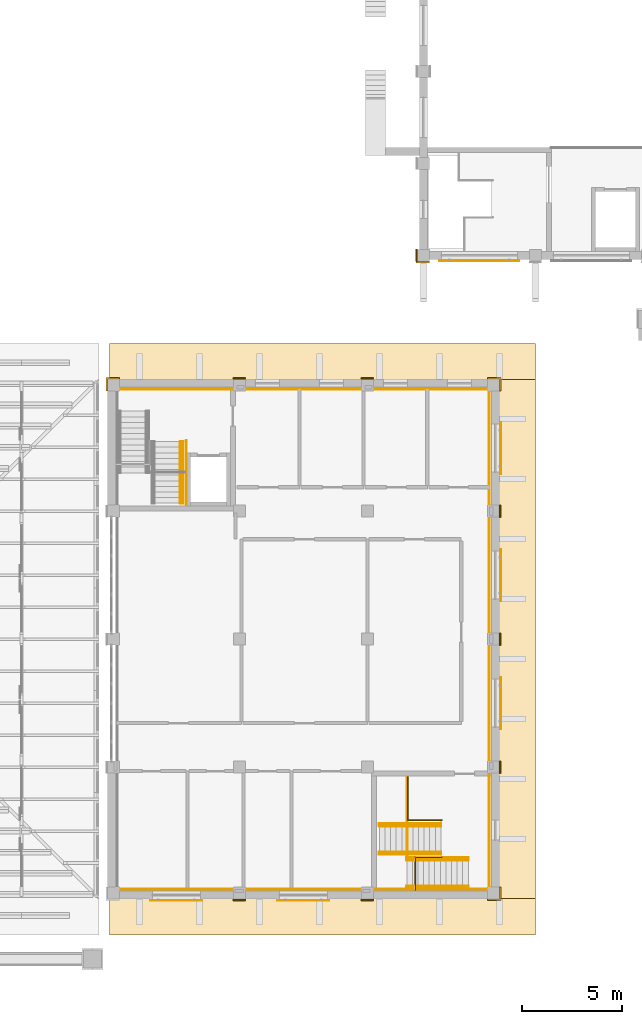
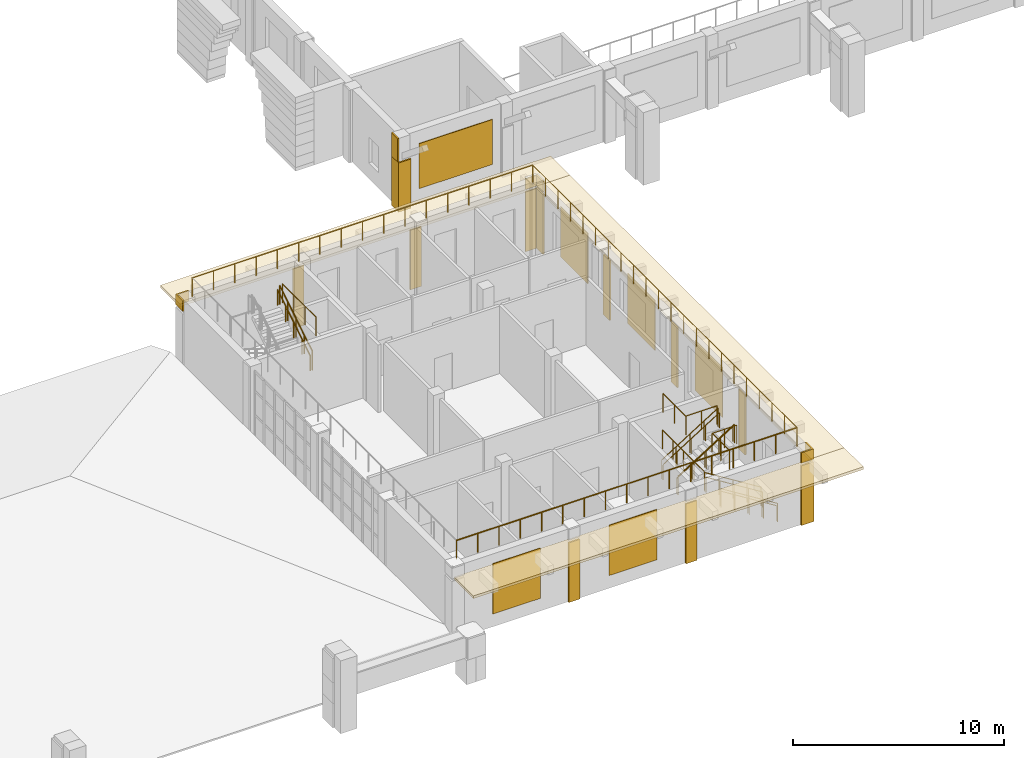
# One storey, part 56 of 68: 17 coverings, 17 railings, 6 shading devices.
"""IFC4 building model written with IfcOpenShell, lengths in metres."""

from ifc_helpers import new_model, si_unit, direction, frame, origin, origin_2d, place, context, subcontext, project, spatial, polyline, rectangle, circle, outline, extrude, material, layer, layer_set, type_object, element, save


model = new_model("IFC4")

# Units and contexts
model_context = context("Model", 3, precision=1e-05, world=origin(), true_north=direction((0.0, 1.0)))
body_context = subcontext(model_context, "Body", "Model", "MODEL_VIEW")
ifc_project = project(units=[si_unit("LENGTHUNIT", "METRE"), si_unit("AREAUNIT", "SQUARE_METRE"), si_unit("VOLUMEUNIT", "CUBIC_METRE"), si_unit("PLANEANGLEUNIT", "RADIAN"), si_unit("MASSUNIT", "GRAM", prefix="KILO")], contexts=[model_context])

# Site, building, storey
site_placement = place(None, origin())
site = spatial("IfcSite", under=ifc_project, at=site_placement, CompositionType="ELEMENT")
building_placement = place(site_placement, origin())
building = spatial("IfcBuilding", under=site, at=building_placement, Name="Wasatch Bagh Community Centre", CompositionType="ELEMENT")
storey_placement = place(building_placement, frame((0.0, 0.0, 8.39990234375)))
storey = spatial("IfcBuildingStorey", under=building, at=storey_placement, Name="L02", CompositionType="ELEMENT", Elevation=8.39990234375)

# Coverings
ifc_material_1 = material(Name="Cast stone cladding", Category="masonry")
ifc_layer_1 = layer(ifc_material_1, 0.080078125)
ifc_layer_set_1 = layer_set([ifc_layer_1], Name="Cast stone cladding")
covering_type_1 = type_object("IfcCoveringType", Name="CL-C1 column facing", PredefinedType="CLADDING", material=ifc_layer_set_1)
covering_1_placement = place(storey_placement, frame((0.0, 0.0, 3.60009765625)))
element("IfcCovering", 1, at=covering_1_placement, inside=storey, type_object=covering_type_1, Name="Column facing", PredefinedType="CLADDING", context=body_context, shape_type="SweptSolid", body=[
    extrude(outline(polyline([(96.39990234375, 31.39990234375), (96.320068359375, 31.39990234375), (96.320068359375, 32.080078125), (97.0, 32.080078125), (97.0, 32.0), (96.39990234375, 32.0), (96.39990234375, 31.39990234375)])), origin(), (0.0, 0.0, 1.0), 0.60009765625),
])
covering_2_placement = place(storey_placement, origin())
element("IfcCovering", 2, at=covering_2_placement, inside=storey, type_object=covering_type_1, Name="Column facing", PredefinedType="CLADDING", context=body_context, shape_type="SweptSolid", body=[
    extrude(outline(polyline([(102.699951171875, 6.0), (103.300048828125, 6.0), (103.300048828125, 5.919921875), (102.699951171875, 5.919921875), (102.699951171875, 6.0)])), origin(), (0.0, 0.0, 1.0), 3.4501953125),
])
covering_3_placement = place(storey_placement, origin())
element("IfcCovering", 3, at=covering_3_placement, inside=storey, type_object=covering_type_1, Name="Column facing", PredefinedType="CLADDING", context=body_context, shape_type="SweptSolid", body=[
    extrude(outline(polyline([(103.300048828125, 32.0), (102.699951171875, 32.0), (102.699951171875, 32.080078125), (103.300048828125, 32.080078125), (103.300048828125, 32.0)])), origin(), (0.0, 0.0, 1.0), 3.4501953125),
])
covering_4_placement = place(storey_placement, origin())
element("IfcCovering", 4, at=covering_4_placement, inside=storey, type_object=covering_type_1, Name="Column facing", PredefinedType="CLADDING", context=body_context, shape_type="SweptSolid", body=[
    extrude(outline(polyline([(109.10009765625, 6.0), (109.699951171875, 6.0), (109.699951171875, 5.919921875), (109.10009765625, 5.919921875), (109.10009765625, 6.0)])), origin(), (0.0, 0.0, 1.0), 3.4501953125),
])
covering_5_placement = place(storey_placement, origin())
element("IfcCovering", 5, at=covering_5_placement, inside=storey, type_object=covering_type_1, Name="Column facing", PredefinedType="CLADDING", context=body_context, shape_type="SweptSolid", body=[
    extrude(outline(polyline([(109.699951171875, 32.0), (109.10009765625, 32.0), (109.10009765625, 32.080078125), (109.699951171875, 32.080078125), (109.699951171875, 32.0)])), origin(), (0.0, 0.0, 1.0), 3.4501953125),
])
covering_6_placement = place(storey_placement, origin())
element("IfcCovering", 6, at=covering_6_placement, inside=storey, type_object=covering_type_1, Name="Column facing", PredefinedType="CLADDING", context=body_context, shape_type="SweptSolid", body=[
    extrude(outline(polyline([(116.0, 6.0), (116.0, 6.60009765625), (116.080078125, 6.60009765625), (116.080078125, 5.919921875), (115.39990234375, 5.919921875), (115.39990234375, 6.0), (116.0, 6.0)])), origin(), (0.0, 0.0, 1.0), 3.4501953125),
])
covering_7_placement = place(storey_placement, frame((0.0, 0.0, 3.60009765625)))
element("IfcCovering", 7, at=covering_7_placement, inside=storey, type_object=covering_type_1, Name="Column facing", PredefinedType="CLADDING", context=body_context, shape_type="SweptSolid", body=[
    extrude(outline(polyline([(116.0, 6.0), (116.0, 6.60009765625), (116.080078125, 6.60009765625), (116.080078125, 5.919921875), (115.39990234375, 5.919921875), (115.39990234375, 6.0), (116.0, 6.0)])), origin(), (0.0, 0.0, 1.0), 0.60009765625),
])
covering_8_placement = place(storey_placement, origin())
element("IfcCovering", 8, at=covering_8_placement, inside=storey, type_object=covering_type_1, Name="Column facing", PredefinedType="CLADDING", context=body_context, shape_type="SweptSolid", body=[
    extrude(outline(polyline([(116.0, 12.300048828125), (116.0, 12.89990234375), (116.080078125, 12.89990234375), (116.080078125, 12.300048828125), (116.0, 12.300048828125)])), origin(), (0.0, 0.0, 1.0), 3.4501953125),
])
covering_9_placement = place(storey_placement, origin())
element("IfcCovering", 9, at=covering_9_placement, inside=storey, type_object=covering_type_1, Name="Column facing", PredefinedType="CLADDING", context=body_context, shape_type="SweptSolid", body=[
    extrude(outline(polyline([(116.0, 18.699951171875), (116.0, 19.300048828125), (116.080078125, 19.300048828125), (116.080078125, 18.699951171875), (116.0, 18.699951171875)])), origin(), (0.0, 0.0, 1.0), 3.4501953125),
])
covering_10_placement = place(storey_placement, origin())
element("IfcCovering", 10, at=covering_10_placement, inside=storey, type_object=covering_type_1, Name="Column facing", PredefinedType="CLADDING", context=body_context, shape_type="SweptSolid", body=[
    extrude(outline(polyline([(116.0, 25.10009765625), (116.0, 25.699951171875), (116.080078125, 25.699951171875), (116.080078125, 25.10009765625), (116.0, 25.10009765625)])), origin(), (0.0, 0.0, 1.0), 3.4501953125),
])
covering_11_placement = place(storey_placement, origin())
element("IfcCovering", 11, at=covering_11_placement, inside=storey, type_object=covering_type_1, Name="Column facing", PredefinedType="CLADDING", context=body_context, shape_type="SweptSolid", body=[
    extrude(outline(polyline([(116.0, 32.0), (115.39990234375, 32.0), (115.39990234375, 32.080078125), (116.080078125, 32.080078125), (116.080078125, 31.39990234375), (116.0, 31.39990234375), (116.0, 32.0)])), origin(), (0.0, 0.0, 1.0), 3.4501953125),
])
covering_12_placement = place(storey_placement, frame((0.0, 0.0, 3.60009765625)))
element("IfcCovering", 12, at=covering_12_placement, inside=storey, type_object=covering_type_1, Name="Column facing", PredefinedType="CLADDING", context=body_context, shape_type="SweptSolid", body=[
    extrude(outline(polyline([(116.0, 32.0), (115.39990234375, 32.0), (115.39990234375, 32.080078125), (116.080078125, 32.080078125), (116.080078125, 31.39990234375), (116.0, 31.39990234375), (116.0, 32.0)])), origin(), (0.0, 0.0, 1.0), 0.60009765625),
])
covering_13_placement = place(storey_placement, origin())
element("IfcCovering", 13, at=covering_13_placement, inside=storey, type_object=covering_type_1, Name="Column facing", PredefinedType="CLADDING", context=body_context, shape_type="SweptSolid", body=[
    extrude(outline(polyline([(111.820068359375, 37.820068359375), (111.820068359375, 38.5), (111.89990234375, 38.5), (111.89990234375, 37.89990234375), (112.5, 37.89990234375), (112.5, 37.820068359375), (111.820068359375, 37.820068359375)])), origin(), (0.0, 0.0, 1.0), 2.85009765625),
])
covering_14_placement = place(storey_placement, frame((0.0, 0.0, 2.85009765625)))
element("IfcCovering", 14, at=covering_14_placement, inside=storey, type_object=covering_type_1, Name="Column facing", PredefinedType="CLADDING", context=body_context, shape_type="SweptSolid", body=[
    extrude(outline(polyline([(111.89990234375, 38.5), (111.89990234375, 37.89990234375), (111.820068359375, 37.89990234375), (111.820068359375, 38.5), (111.89990234375, 38.5)])), origin(), (0.0, 0.0, 1.0), 1.35009765625),
])
ifc_material_2 = material(Name="Glass-fibre reinforced concrete", Category="concrete")
ifc_layer_2 = layer(ifc_material_2, 0.14990234375)
ifc_layer_set_2 = layer_set([ifc_layer_2], Name="Glass-fibre reinforced concrete")
covering_type_2 = type_object("IfcCoveringType", Name="KW chhajja band", PredefinedType="CLADDING", material=ifc_layer_set_2)
covering_15_placement = place(storey_placement, frame((107.14990234375, 5.110107421875, 3.4501953125), z_axis=(0.0, 0.0, 1.0), x_axis=(1.0, 0.0, 0.0)))
element("IfcCovering", 15, at=covering_15_placement, inside=storey, type_object=covering_type_2, Name="CH-C1 chhajja band KW S", PredefinedType="CLADDING", context=body_context, shape_type="SweptSolid", body=[
    extrude(rectangle(XDim=21.300048828125, YDim=1.820068359375, at=origin_2d()), origin(), (0.0, 0.0, 1.0), 0.14990234375),
])
covering_16_placement = place(storey_placement, frame((116.889892578125, 19.0, 3.4501953125), z_axis=(0.0, 0.0, 1.0), x_axis=(1.0, 0.0, 0.0)))
element("IfcCovering", 16, at=covering_16_placement, inside=storey, type_object=covering_type_2, Name="CH-C1 chhajja band KW E", PredefinedType="CLADDING", context=body_context, shape_type="SweptSolid", body=[
    extrude(rectangle(XDim=1.820068359375, YDim=25.9599609375, at=origin_2d()), origin(), (0.0, 0.0, 1.0), 0.14990234375),
])
covering_17_placement = place(storey_placement, frame((107.14990234375, 32.889892578125, 3.4501953125), z_axis=(0.0, 0.0, 1.0), x_axis=(1.0, 0.0, 0.0)))
element("IfcCovering", 17, at=covering_17_placement, inside=storey, type_object=covering_type_2, Name="CH-C1 chhajja band KW N", PredefinedType="CLADDING", context=body_context, shape_type="SweptSolid", body=[
    extrude(rectangle(XDim=21.300048828125, YDim=1.820068359375, at=origin_2d()), origin(), (0.0, 0.0, 1.0), 0.14990234375),
])

# Railings
ifc_material_3 = material(Name="ASTM A36 steel", Category="steel")
railing_type_1 = type_object("IfcRailingType", Name="KW guard", PredefinedType="GUARDRAIL", material=ifc_material_3)
railing_1_placement = place(storey_placement, frame((100.169921875, 25.800048828125, 2.275146484375)))
element("IfcRailing", 18, at=railing_1_placement, inside=storey, type_object=railing_type_1, Name="GUARD ST4", PredefinedType="GUARDRAIL", context=body_context, shape_type="SweptSolid", body=[
    extrude(circle(Radius=0.02392578125, at=origin_2d()), frame((0.0, 0.0, 1.076171875), z_axis=(0.0, 0.847979421464, 0.530029150871), x_axis=(-1.0, 0.0, 0.0)), (0.0, 0.0, 1.0), 3.632080078125),
    extrude(circle(Radius=0.02099609375, at=origin_2d()), origin(), (0.0, 0.0, 1.0), 1.052001953125),
    extrude(circle(Radius=0.02099609375, at=origin_2d()), frame((0.0, 0.77001953125, 0.481201171875)), (0.0, 0.0, 1.0), 1.052001953125),
    extrude(circle(Radius=0.02099609375, at=origin_2d()), frame((0.0, 1.5400390625, 0.96240234375)), (0.0, 0.0, 1.0), 1.052001953125),
    extrude(circle(Radius=0.02099609375, at=origin_2d()), frame((0.0, 2.309814453125, 1.44384765625)), (0.0, 0.0, 1.0), 1.052001953125),
    extrude(circle(Radius=0.02099609375, at=origin_2d()), frame((0.0, 3.079833984375, 1.925048828125)), (0.0, 0.0, 1.0), 1.052001953125),
])
railing_2_placement = place(storey_placement, frame((100.35009765625, 28.929931640625, 4.2001953125)))
element("IfcRailing", 19, at=railing_2_placement, inside=storey, type_object=railing_type_1, Name="GUARD ST4", PredefinedType="GUARDRAIL", context=body_context, shape_type="SweptSolid", body=[
    extrude(circle(Radius=0.02392578125, at=origin_2d()), frame((0.0, 0.0, 1.076171875), z_axis=(0.0, -1.0, 0.0), x_axis=(1.0, 0.0, 0.0)), (0.0, 0.0, 1.0), 3.179931640625),
    extrude(circle(Radius=0.02099609375, at=origin_2d()), origin(), (0.0, 0.0, 1.0), 1.052001953125),
    extrude(circle(Radius=0.02099609375, at=origin_2d()), frame((0.0, -1.06005859375, 0.0)), (0.0, 0.0, 1.0), 1.052001953125),
    extrude(circle(Radius=0.02099609375, at=origin_2d()), frame((0.0, -2.119873046875, 0.0)), (0.0, 0.0, 1.0), 1.052001953125),
    extrude(circle(Radius=0.02099609375, at=origin_2d()), frame((0.0, -3.179931640625, 0.0)), (0.0, 0.0, 1.0), 1.052001953125),
])
for number, where, name in (
    (20, (114.449951171875, 6.530029296875, 0.175048828125), "GUARD ST5"),
    (21, (114.449951171875, 8.070068359375, 0.175048828125), "GUARD ST5"),
):
    element("IfcRailing", number, at=place(storey_placement, frame(where)), inside=storey, type_object=railing_type_1, Name=name, PredefinedType="GUARDRAIL", context=body_context, shape_type="SweptSolid", body=[
        extrude(circle(Radius=0.02392578125, at=origin_2d()), frame((0.0, 0.0, 1.076171875), z_axis=(-0.847979421464, 0.0, 0.530029150871), x_axis=(0.0, -1.0, 0.0)), (0.0, 0.0, 1.0), 3.632080078125),
        extrude(circle(Radius=0.02099609375, at=origin_2d()), origin(), (0.0, 0.0, 1.0), 1.052001953125),
        extrude(circle(Radius=0.02099609375, at=origin_2d()), frame((-0.77001953125, 0.0, 0.481201171875)), (0.0, 0.0, 1.0), 1.052001953125),
        extrude(circle(Radius=0.02099609375, at=origin_2d()), frame((-1.5400390625, 0.0, 0.96240234375)), (0.0, 0.0, 1.0), 1.052001953125),
        extrude(circle(Radius=0.02099609375, at=origin_2d()), frame((-2.309814453125, 0.0, 1.44384765625)), (0.0, 0.0, 1.0), 1.052001953125),
        extrude(circle(Radius=0.02099609375, at=origin_2d()), frame((-3.079833984375, 0.0, 1.925048828125)), (0.0, 0.0, 1.0), 1.052001953125),
    ])
for number, where, name in (
    (22, (110.0, 9.77001953125, 2.275146484375), "GUARD ST5"),
    (23, (110.0, 8.22998046875, 2.275146484375), "GUARD ST5"),
):
    element("IfcRailing", number, at=place(storey_placement, frame(where)), inside=storey, type_object=railing_type_1, Name=name, PredefinedType="GUARDRAIL", context=body_context, shape_type="SweptSolid", body=[
        extrude(circle(Radius=0.02392578125, at=origin_2d()), frame((0.0, 0.0, 1.076171875), z_axis=(0.847998304005, 0.0, 0.529998940003), x_axis=(0.0, 1.0, 0.0)), (0.0, 0.0, 1.0), 3.632080078125),
        extrude(circle(Radius=0.02099609375, at=origin_2d()), origin(), (0.0, 0.0, 1.0), 1.052001953125),
        extrude(circle(Radius=0.02099609375, at=origin_2d()), frame((0.77001953125, 0.0, 0.481201171875)), (0.0, 0.0, 1.0), 1.052001953125),
        extrude(circle(Radius=0.02099609375, at=origin_2d()), frame((1.5400390625, 0.0, 0.96240234375)), (0.0, 0.0, 1.0), 1.052001953125),
        extrude(circle(Radius=0.02099609375, at=origin_2d()), frame((2.31005859375, 0.0, 1.44384765625)), (0.0, 0.0, 1.0), 1.052001953125),
        extrude(circle(Radius=0.02099609375, at=origin_2d()), frame((3.080078125, 0.0, 1.925048828125)), (0.0, 0.0, 1.0), 1.052001953125),
    ])
railing_3_placement = place(storey_placement, frame((111.389892578125, 8.14990234375, 2.10009765625)))
element("IfcRailing", 24, at=railing_3_placement, inside=storey, type_object=railing_type_1, Name="GUARD ST5", PredefinedType="GUARDRAIL", context=body_context, shape_type="SweptSolid", body=[
    extrude(circle(Radius=0.02392578125, at=origin_2d()), frame((0.0, 0.0, 1.076171875), z_axis=(0.0, 1.0, 0.0), x_axis=(-1.0, 0.0, 0.0)), (0.0, 0.0, 1.0), 3.9501953125),
    extrude(circle(Radius=0.02099609375, at=origin_2d()), origin(), (0.0, 0.0, 1.0), 1.052001953125),
    extrude(circle(Radius=0.02099609375, at=origin_2d()), frame((0.0, 0.987548828125, 0.0)), (0.0, 0.0, 1.0), 1.052001953125),
    extrude(circle(Radius=0.02099609375, at=origin_2d()), frame((0.0, 1.97509765625, 0.0)), (0.0, 0.0, 1.0), 1.052001953125),
    extrude(circle(Radius=0.02099609375, at=origin_2d()), frame((0.0, 2.962646484375, 0.0)), (0.0, 0.0, 1.0), 1.052001953125),
    extrude(circle(Radius=0.02099609375, at=origin_2d()), frame((0.0, 3.9501953125, 0.0)), (0.0, 0.0, 1.0), 1.052001953125),
])
railing_4_placement = place(storey_placement, frame((111.7880859375, 6.449951171875, 4.2001953125)))
element("IfcRailing", 25, at=railing_4_placement, inside=storey, type_object=railing_type_1, Name="GUARD ST5", PredefinedType="GUARDRAIL", context=body_context, shape_type="SweptSolid", body=[
    extrude(circle(Radius=0.02392578125, at=origin_2d()), frame((0.0, 0.0, 1.076171875), z_axis=(0.0, 1.0, 0.0), x_axis=(-1.0, 0.0, 0.0)), (0.0, 0.0, 1.0), 1.650146484375),
    extrude(circle(Radius=0.02392578125, at=origin_2d()), frame((0.0, 1.650146484375, 1.076171875), z_axis=(1.0, 0.0, 0.0), x_axis=(0.0, 1.0, 0.0)), (0.0, 0.0, 1.0), 1.341796875),
    extrude(circle(Radius=0.02099609375, at=origin_2d()), origin(), (0.0, 0.0, 1.0), 1.052001953125),
    extrude(circle(Radius=0.02099609375, at=origin_2d()), frame((0.0, 0.8251953125, 0.0)), (0.0, 0.0, 1.0), 1.052001953125),
    extrude(circle(Radius=0.02099609375, at=origin_2d()), frame((0.0, 1.650146484375, 0.0)), (0.0, 0.0, 1.0), 1.052001953125),
    extrude(circle(Radius=0.02099609375, at=origin_2d()), frame((0.6708984375, 1.650146484375, 0.0)), (0.0, 0.0, 1.0), 1.052001953125),
    extrude(circle(Radius=0.02099609375, at=origin_2d()), frame((1.341796875, 1.650146484375, 0.0)), (0.0, 0.0, 1.0), 1.052001953125),
])
railing_5_placement = place(storey_placement, frame((111.419921875, 12.10009765625, 4.2001953125)))
element("IfcRailing", 26, at=railing_5_placement, inside=storey, type_object=railing_type_1, Name="GUARD ST5", PredefinedType="GUARDRAIL", context=body_context, shape_type="SweptSolid", body=[
    extrude(circle(Radius=0.02392578125, at=origin_2d()), frame((0.0, 0.0, 1.076171875), z_axis=(0.0, -1.0, 0.0), x_axis=(1.0, 0.0, 0.0)), (0.0, 0.0, 1.0), 2.150146484375),
    extrude(circle(Radius=0.02392578125, at=origin_2d()), frame((0.0, -2.150146484375, 1.076171875), z_axis=(1.0, 0.0, 0.0), x_axis=(0.0, 1.0, 0.0)), (0.0, 0.0, 1.0), 1.7099609375),
    extrude(circle(Radius=0.02099609375, at=origin_2d()), origin(), (0.0, 0.0, 1.0), 1.052001953125),
    extrude(circle(Radius=0.02099609375, at=origin_2d()), frame((0.0, -1.0751953125, 0.0)), (0.0, 0.0, 1.0), 1.052001953125),
    extrude(circle(Radius=0.02099609375, at=origin_2d()), frame((0.0, -2.150146484375, 0.0)), (0.0, 0.0, 1.0), 1.052001953125),
    extrude(circle(Radius=0.02099609375, at=origin_2d()), frame((0.85498046875, -2.150146484375, 0.0)), (0.0, 0.0, 1.0), 1.052001953125),
    extrude(circle(Radius=0.02099609375, at=origin_2d()), frame((1.7099609375, -2.150146484375, 0.0)), (0.0, 0.0, 1.0), 1.052001953125),
])
railing_6_placement = place(storey_placement, frame((96.89990234375, 6.5, 4.2001953125)))
element("IfcRailing", 27, at=railing_6_placement, inside=storey, type_object=railing_type_1, Name="GUARD roof garden", PredefinedType="GUARDRAIL", context=body_context, shape_type="SweptSolid", body=[
    extrude(circle(Radius=0.02392578125, at=origin_2d()), frame((0.0, 0.0, 1.076171875), z_axis=(1.0, 0.0, 0.0), x_axis=(0.0, 1.0, 0.0)), (0.0, 0.0, 1.0), 18.60009765625),
    extrude(circle(Radius=0.02099609375, at=origin_2d()), origin(), (0.0, 0.0, 1.0), 1.052001953125),
    extrude(circle(Radius=0.02099609375, at=origin_2d()), frame((1.16259765625, 0.0, 0.0)), (0.0, 0.0, 1.0), 1.052001953125),
    extrude(circle(Radius=0.02099609375, at=origin_2d()), frame((2.324951171875, 0.0, 0.0)), (0.0, 0.0, 1.0), 1.052001953125),
    extrude(circle(Radius=0.02099609375, at=origin_2d()), frame((3.487548828125, 0.0, 0.0)), (0.0, 0.0, 1.0), 1.052001953125),
    extrude(circle(Radius=0.02099609375, at=origin_2d()), frame((4.64990234375, 0.0, 0.0)), (0.0, 0.0, 1.0), 1.052001953125),
    extrude(circle(Radius=0.02099609375, at=origin_2d()), frame((5.8125, 0.0, 0.0)), (0.0, 0.0, 1.0), 1.052001953125),
    extrude(circle(Radius=0.02099609375, at=origin_2d()), frame((6.97509765625, 0.0, 0.0)), (0.0, 0.0, 1.0), 1.052001953125),
    extrude(circle(Radius=0.02099609375, at=origin_2d()), frame((8.137451171875, 0.0, 0.0)), (0.0, 0.0, 1.0), 1.052001953125),
    extrude(circle(Radius=0.02099609375, at=origin_2d()), frame((9.300048828125, 0.0, 0.0)), (0.0, 0.0, 1.0), 1.052001953125),
    extrude(circle(Radius=0.02099609375, at=origin_2d()), frame((10.462646484375, 0.0, 0.0)), (0.0, 0.0, 1.0), 1.052001953125),
    extrude(circle(Radius=0.02099609375, at=origin_2d()), frame((11.625, 0.0, 0.0)), (0.0, 0.0, 1.0), 1.052001953125),
    extrude(circle(Radius=0.02099609375, at=origin_2d()), frame((12.78759765625, 0.0, 0.0)), (0.0, 0.0, 1.0), 1.052001953125),
    extrude(circle(Radius=0.02099609375, at=origin_2d()), frame((13.9501953125, 0.0, 0.0)), (0.0, 0.0, 1.0), 1.052001953125),
    extrude(circle(Radius=0.02099609375, at=origin_2d()), frame((15.112548828125, 0.0, 0.0)), (0.0, 0.0, 1.0), 1.052001953125),
    extrude(circle(Radius=0.02099609375, at=origin_2d()), frame((16.275146484375, 0.0, 0.0)), (0.0, 0.0, 1.0), 1.052001953125),
    extrude(circle(Radius=0.02099609375, at=origin_2d()), frame((17.4375, 0.0, 0.0)), (0.0, 0.0, 1.0), 1.052001953125),
    extrude(circle(Radius=0.02099609375, at=origin_2d()), frame((18.60009765625, 0.0, 0.0)), (0.0, 0.0, 1.0), 1.052001953125),
])
railing_7_placement = place(storey_placement, frame((115.5, 6.5, 4.2001953125)))
element("IfcRailing", 28, at=railing_7_placement, inside=storey, type_object=railing_type_1, Name="GUARD roof garden", PredefinedType="GUARDRAIL", context=body_context, shape_type="SweptSolid", body=[
    extrude(circle(Radius=0.02392578125, at=origin_2d()), frame((0.0, 0.0, 1.076171875), z_axis=(0.0, 1.0, 0.0), x_axis=(-1.0, 0.0, 0.0)), (0.0, 0.0, 1.0), 25.0),
    extrude(circle(Radius=0.02099609375, at=origin_2d()), origin(), (0.0, 0.0, 1.0), 1.052001953125),
    extrude(circle(Radius=0.02099609375, at=origin_2d()), frame((0.0, 1.1904296875, 0.0)), (0.0, 0.0, 1.0), 1.052001953125),
    extrude(circle(Radius=0.02099609375, at=origin_2d()), frame((0.0, 2.380859375, 0.0)), (0.0, 0.0, 1.0), 1.052001953125),
    extrude(circle(Radius=0.02099609375, at=origin_2d()), frame((0.0, 3.571533203125, 0.0)), (0.0, 0.0, 1.0), 1.052001953125),
    extrude(circle(Radius=0.02099609375, at=origin_2d()), frame((0.0, 4.761962890625, 0.0)), (0.0, 0.0, 1.0), 1.052001953125),
    extrude(circle(Radius=0.02099609375, at=origin_2d()), frame((0.0, 5.952392578125, 0.0)), (0.0, 0.0, 1.0), 1.052001953125),
    extrude(circle(Radius=0.02099609375, at=origin_2d()), frame((0.0, 7.142822265625, 0.0)), (0.0, 0.0, 1.0), 1.052001953125),
    extrude(circle(Radius=0.02099609375, at=origin_2d()), frame((0.0, 8.333251953125, 0.0)), (0.0, 0.0, 1.0), 1.052001953125),
    extrude(circle(Radius=0.02099609375, at=origin_2d()), frame((0.0, 9.52392578125, 0.0)), (0.0, 0.0, 1.0), 1.052001953125),
    extrude(circle(Radius=0.02099609375, at=origin_2d()), frame((0.0, 10.71435546875, 0.0)), (0.0, 0.0, 1.0), 1.052001953125),
    extrude(circle(Radius=0.02099609375, at=origin_2d()), frame((0.0, 11.90478515625, 0.0)), (0.0, 0.0, 1.0), 1.052001953125),
    extrude(circle(Radius=0.02099609375, at=origin_2d()), frame((0.0, 13.09521484375, 0.0)), (0.0, 0.0, 1.0), 1.052001953125),
    extrude(circle(Radius=0.02099609375, at=origin_2d()), frame((0.0, 14.28564453125, 0.0)), (0.0, 0.0, 1.0), 1.052001953125),
    extrude(circle(Radius=0.02099609375, at=origin_2d()), frame((0.0, 15.47607421875, 0.0)), (0.0, 0.0, 1.0), 1.052001953125),
    extrude(circle(Radius=0.02099609375, at=origin_2d()), frame((0.0, 16.666748046875, 0.0)), (0.0, 0.0, 1.0), 1.052001953125),
    extrude(circle(Radius=0.02099609375, at=origin_2d()), frame((0.0, 17.857177734375, 0.0)), (0.0, 0.0, 1.0), 1.052001953125),
    extrude(circle(Radius=0.02099609375, at=origin_2d()), frame((0.0, 19.047607421875, 0.0)), (0.0, 0.0, 1.0), 1.052001953125),
    extrude(circle(Radius=0.02099609375, at=origin_2d()), frame((0.0, 20.238037109375, 0.0)), (0.0, 0.0, 1.0), 1.052001953125),
    extrude(circle(Radius=0.02099609375, at=origin_2d()), frame((0.0, 21.428466796875, 0.0)), (0.0, 0.0, 1.0), 1.052001953125),
    extrude(circle(Radius=0.02099609375, at=origin_2d()), frame((0.0, 22.619140625, 0.0)), (0.0, 0.0, 1.0), 1.052001953125),
    extrude(circle(Radius=0.02099609375, at=origin_2d()), frame((0.0, 23.8095703125, 0.0)), (0.0, 0.0, 1.0), 1.052001953125),
    extrude(circle(Radius=0.02099609375, at=origin_2d()), frame((0.0, 25.0, 0.0)), (0.0, 0.0, 1.0), 1.052001953125),
])
railing_8_placement = place(storey_placement, frame((115.5, 31.5, 4.2001953125)))
element("IfcRailing", 29, at=railing_8_placement, inside=storey, type_object=railing_type_1, Name="GUARD roof garden", PredefinedType="GUARDRAIL", context=body_context, shape_type="SweptSolid", body=[
    extrude(circle(Radius=0.02392578125, at=origin_2d()), frame((0.0, 0.0, 1.076171875), z_axis=(-1.0, 0.0, 0.0), x_axis=(0.0, -1.0, 0.0)), (0.0, 0.0, 1.0), 18.60009765625),
    extrude(circle(Radius=0.02099609375, at=origin_2d()), origin(), (0.0, 0.0, 1.0), 1.052001953125),
    extrude(circle(Radius=0.02099609375, at=origin_2d()), frame((-1.16259765625, 0.0, 0.0)), (0.0, 0.0, 1.0), 1.052001953125),
    extrude(circle(Radius=0.02099609375, at=origin_2d()), frame((-2.324951171875, 0.0, 0.0)), (0.0, 0.0, 1.0), 1.052001953125),
    extrude(circle(Radius=0.02099609375, at=origin_2d()), frame((-3.487548828125, 0.0, 0.0)), (0.0, 0.0, 1.0), 1.052001953125),
    extrude(circle(Radius=0.02099609375, at=origin_2d()), frame((-4.64990234375, 0.0, 0.0)), (0.0, 0.0, 1.0), 1.052001953125),
    extrude(circle(Radius=0.02099609375, at=origin_2d()), frame((-5.8125, 0.0, 0.0)), (0.0, 0.0, 1.0), 1.052001953125),
    extrude(circle(Radius=0.02099609375, at=origin_2d()), frame((-6.97509765625, 0.0, 0.0)), (0.0, 0.0, 1.0), 1.052001953125),
    extrude(circle(Radius=0.02099609375, at=origin_2d()), frame((-8.137451171875, 0.0, 0.0)), (0.0, 0.0, 1.0), 1.052001953125),
    extrude(circle(Radius=0.02099609375, at=origin_2d()), frame((-9.300048828125, 0.0, 0.0)), (0.0, 0.0, 1.0), 1.052001953125),
    extrude(circle(Radius=0.02099609375, at=origin_2d()), frame((-10.462646484375, 0.0, 0.0)), (0.0, 0.0, 1.0), 1.052001953125),
    extrude(circle(Radius=0.02099609375, at=origin_2d()), frame((-11.625, 0.0, 0.0)), (0.0, 0.0, 1.0), 1.052001953125),
    extrude(circle(Radius=0.02099609375, at=origin_2d()), frame((-12.78759765625, 0.0, 0.0)), (0.0, 0.0, 1.0), 1.052001953125),
    extrude(circle(Radius=0.02099609375, at=origin_2d()), frame((-13.9501953125, 0.0, 0.0)), (0.0, 0.0, 1.0), 1.052001953125),
    extrude(circle(Radius=0.02099609375, at=origin_2d()), frame((-15.112548828125, 0.0, 0.0)), (0.0, 0.0, 1.0), 1.052001953125),
    extrude(circle(Radius=0.02099609375, at=origin_2d()), frame((-16.275146484375, 0.0, 0.0)), (0.0, 0.0, 1.0), 1.052001953125),
    extrude(circle(Radius=0.02099609375, at=origin_2d()), frame((-17.4375, 0.0, 0.0)), (0.0, 0.0, 1.0), 1.052001953125),
    extrude(circle(Radius=0.02099609375, at=origin_2d()), frame((-18.60009765625, 0.0, 0.0)), (0.0, 0.0, 1.0), 1.052001953125),
])
railing_type_2 = type_object("IfcRailingType", Name="KW handrail", PredefinedType="HANDRAIL", material=ifc_material_3)
railing_9_placement = place(storey_placement, frame((100.050048828125, 25.800048828125, 2.275146484375)))
element("IfcRailing", 30, at=railing_9_placement, inside=storey, type_object=railing_type_2, Name="HANDRAIL ST4", PredefinedType="HANDRAIL", context=body_context, shape_type="SweptSolid", body=[
    extrude(circle(Radius=0.02392578125, at=origin_2d()), frame((0.0, 0.0, 0.8759765625), z_axis=(0.0, 0.847979421464, 0.530029150871), x_axis=(-1.0, 0.0, 0.0)), (0.0, 0.0, 1.0), 3.632080078125),
    extrude(circle(Radius=0.02099609375, at=origin_2d()), origin(), (0.0, 0.0, 1.0), 0.851806640625),
    extrude(circle(Radius=0.02099609375, at=origin_2d()), frame((0.0, 0.77001953125, 0.481201171875)), (0.0, 0.0, 1.0), 0.851806640625),
    extrude(circle(Radius=0.02099609375, at=origin_2d()), frame((0.0, 1.5400390625, 0.96240234375)), (0.0, 0.0, 1.0), 0.851806640625),
    extrude(circle(Radius=0.02099609375, at=origin_2d()), frame((0.0, 2.309814453125, 1.44384765625)), (0.0, 0.0, 1.0), 0.851806640625),
    extrude(circle(Radius=0.02099609375, at=origin_2d()), frame((0.0, 3.079833984375, 1.925048828125)), (0.0, 0.0, 1.0), 0.851806640625),
])
for number, where, name in (
    (31, (114.449951171875, 6.64990234375, 0.175048828125), "HANDRAIL ST5"),
    (32, (114.449951171875, 7.949951171875, 0.175048828125), "HANDRAIL ST5"),
):
    element("IfcRailing", number, at=place(storey_placement, frame(where)), inside=storey, type_object=railing_type_2, Name=name, PredefinedType="HANDRAIL", context=body_context, shape_type="SweptSolid", body=[
        extrude(circle(Radius=0.02392578125, at=origin_2d()), frame((0.0, 0.0, 0.8759765625), z_axis=(-0.847979421464, 0.0, 0.530029150871), x_axis=(0.0, -1.0, 0.0)), (0.0, 0.0, 1.0), 3.632080078125),
        extrude(circle(Radius=0.02099609375, at=origin_2d()), origin(), (0.0, 0.0, 1.0), 0.851806640625),
        extrude(circle(Radius=0.02099609375, at=origin_2d()), frame((-0.77001953125, 0.0, 0.481201171875)), (0.0, 0.0, 1.0), 0.851806640625),
        extrude(circle(Radius=0.02099609375, at=origin_2d()), frame((-1.5400390625, 0.0, 0.96240234375)), (0.0, 0.0, 1.0), 0.851806640625),
        extrude(circle(Radius=0.02099609375, at=origin_2d()), frame((-2.309814453125, 0.0, 1.44384765625)), (0.0, 0.0, 1.0), 0.851806640625),
        extrude(circle(Radius=0.02099609375, at=origin_2d()), frame((-3.079833984375, 0.0, 1.925048828125)), (0.0, 0.0, 1.0), 0.851806640625),
    ])
for number, where, name in (
    (33, (110.0, 9.64990234375, 2.275146484375), "HANDRAIL ST5"),
    (34, (110.0, 8.35009765625, 2.275146484375), "HANDRAIL ST5"),
):
    element("IfcRailing", number, at=place(storey_placement, frame(where)), inside=storey, type_object=railing_type_2, Name=name, PredefinedType="HANDRAIL", context=body_context, shape_type="SweptSolid", body=[
        extrude(circle(Radius=0.02392578125, at=origin_2d()), frame((0.0, 0.0, 0.8759765625), z_axis=(0.847998304005, 0.0, 0.529998940003), x_axis=(0.0, 1.0, 0.0)), (0.0, 0.0, 1.0), 3.632080078125),
        extrude(circle(Radius=0.02099609375, at=origin_2d()), origin(), (0.0, 0.0, 1.0), 0.851806640625),
        extrude(circle(Radius=0.02099609375, at=origin_2d()), frame((0.77001953125, 0.0, 0.481201171875)), (0.0, 0.0, 1.0), 0.851806640625),
        extrude(circle(Radius=0.02099609375, at=origin_2d()), frame((1.5400390625, 0.0, 0.96240234375)), (0.0, 0.0, 1.0), 0.851806640625),
        extrude(circle(Radius=0.02099609375, at=origin_2d()), frame((2.31005859375, 0.0, 1.44384765625)), (0.0, 0.0, 1.0), 0.851806640625),
        extrude(circle(Radius=0.02099609375, at=origin_2d()), frame((3.080078125, 0.0, 1.925048828125)), (0.0, 0.0, 1.0), 0.851806640625),
    ])

# Shading devices
ifc_material_4 = material(Name="Precast concrete C40/50", Category="concrete")
ifc_layer_3 = layer(ifc_material_4, 0.0400390625)
ifc_layer_set_3 = layer_set([ifc_layer_3], Name="Precast concrete C40/50")
shading_device_type_1 = type_object("IfcShadingDeviceType", Name="KW jali panel 40", PredefinedType="USERDEFINED", material=ifc_layer_set_3)
for number, where, z_axis, x_axis, name in (
    (35, (99.85009765625, 5.929931640625, 0.800048828125), (0.0, 0.0, 1.0), (1.0, 0.0, 0.0), "Jali shutter"),
    (36, (106.199951171875, 5.929931640625, 0.800048828125), (0.0, 0.0, 1.0), (1.0, 0.0, 0.0), "Jali shutter"),
):
    element("IfcShadingDevice", number, at=place(storey_placement, frame(where, z_axis=z_axis, x_axis=x_axis)), inside=storey, type_object=shading_device_type_1, Name=name, ObjectType="Jali panel", PredefinedType="USERDEFINED", context=body_context, shape_type="SweptSolid", body=[
        extrude(rectangle(XDim=2.60009765625, YDim=0.0400390625, at=origin_2d()), origin(), (0.0, 0.0, 1.0), 2.89990234375),
    ])
for number, where, z_axis, x_axis, name in (
    (37, (116.070068359375, 15.800048828125, 0.800048828125), (0.0, 0.0, 1.0), (1.0, 0.0, 0.0), "Jali shutter"),
    (38, (116.070068359375, 22.199951171875, 0.800048828125), (0.0, 0.0, 1.0), (1.0, 0.0, 0.0), "Jali shutter"),
    (39, (116.070068359375, 28.550048828125, 0.800048828125), (0.0, 0.0, 1.0), (1.0, 0.0, 0.0), "Jali shutter"),
):
    element("IfcShadingDevice", number, at=place(storey_placement, frame(where, z_axis=z_axis, x_axis=x_axis)), inside=storey, type_object=shading_device_type_1, Name=name, ObjectType="Jali panel", PredefinedType="USERDEFINED", context=body_context, shape_type="SweptSolid", body=[
        extrude(rectangle(XDim=0.0400390625, YDim=2.60009765625, at=origin_2d()), origin(), (0.0, 0.0, 1.0), 2.89990234375),
    ])
ifc_layer_4 = layer(ifc_material_4, 0.0400390625)
ifc_layer_set_4 = layer_set([ifc_layer_4], Name="Precast concrete C40/50")
shading_device_type_2 = type_object("IfcShadingDeviceType", Name="SH jali panel 40", PredefinedType="USERDEFINED", material=ifc_layer_set_4)
shading_device_placement = place(storey_placement, frame((115.0, 37.929931640625, 0.900146484375), z_axis=(0.0, 0.0, 1.0), x_axis=(1.0, 0.0, 0.0)))
element("IfcShadingDevice", 40, at=shading_device_placement, inside=storey, type_object=shading_device_type_2, Name="Jali shutter", ObjectType="Jali panel", PredefinedType="USERDEFINED", context=body_context, shape_type="SweptSolid", body=[
    extrude(rectangle(XDim=4.0, YDim=0.0400390625, at=origin_2d()), origin(), (0.0, 0.0, 1.0), 2.60009765625),
])

save(model, "model.ifc")
